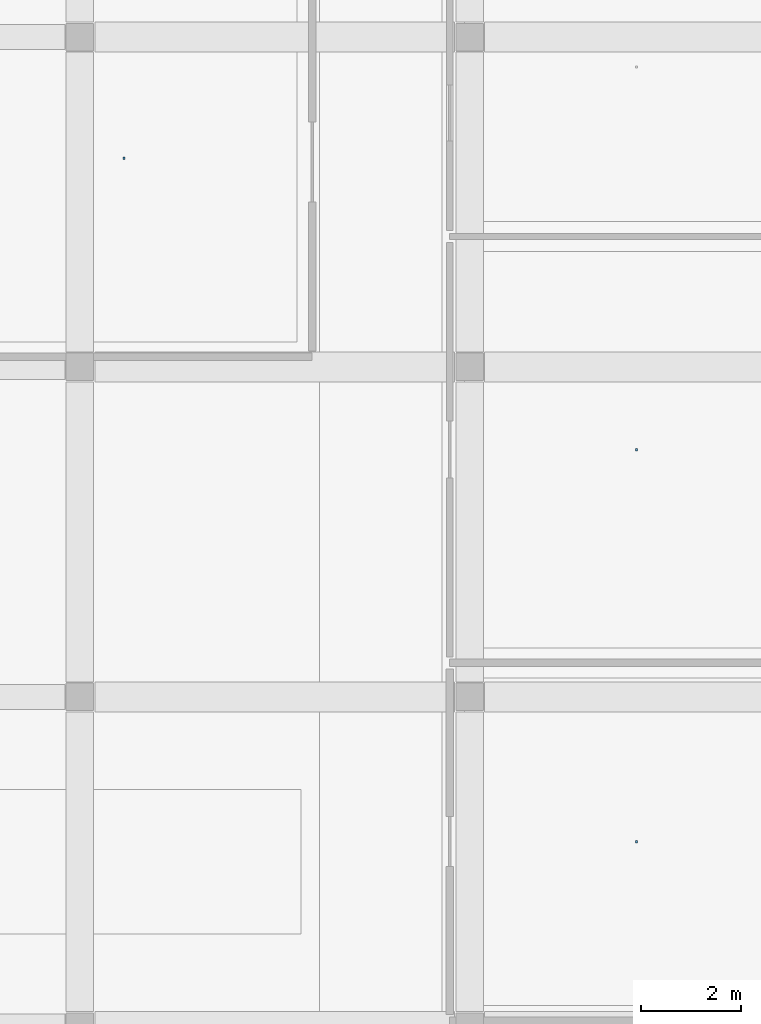
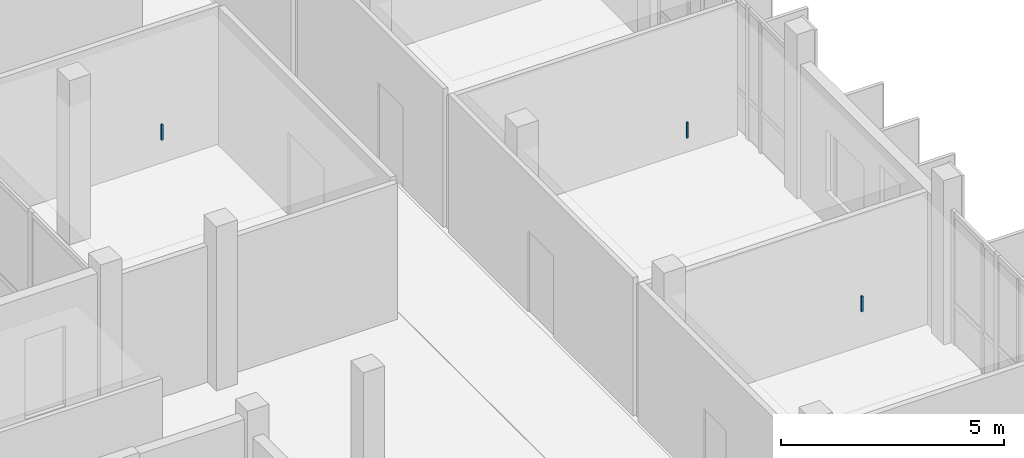
# One storey, part 80 of 95: 3 discrete accessories.
"""IFC4 building model written with IfcOpenShell, lengths in metres."""

from ifc_helpers import new_model, si_unit, derived_unit, direction, frame, origin, origin_2d, place, context, subcontext, project, spatial, rectangle, extrude, material, type_object, element, save


model = new_model("IFC4")

# Units and contexts
model_context = context("Model", 3, precision=1e-05, world=origin(), true_north=direction((0.0, 1.0)))
body_context = subcontext(model_context, "Body", "Model", "MODEL_VIEW")
ifc_project = project(units=[si_unit("LENGTHUNIT", "METRE"), si_unit("AREAUNIT", "SQUARE_METRE"), si_unit("VOLUMEUNIT", "CUBIC_METRE"), si_unit("PLANEANGLEUNIT", "RADIAN"), si_unit("MASSUNIT", "GRAM", prefix="KILO"), derived_unit("THERMALTRANSMITTANCEUNIT", [(si_unit("POWERUNIT", "WATT"), 1), (si_unit("LENGTHUNIT", "METRE"), -2), (si_unit("THERMODYNAMICTEMPERATUREUNIT", "KELVIN"), -1)])], contexts=[model_context])

# Site, building, storey
site_placement = place(None, origin())
site = spatial("IfcSite", under=ifc_project, at=site_placement, CompositionType="ELEMENT")
building_placement = place(site_placement, origin())
building = spatial("IfcBuilding", under=site, at=building_placement, Name="Braskholm Square Health Centre", CompositionType="ELEMENT")
storey_placement = place(building_placement, frame((0.0, 0.0, 4.800048828125)))
storey = spatial("IfcBuildingStorey", under=building, at=storey_placement, Name="L02", CompositionType="ELEMENT", Elevation=4.800048828125)

# Discrete accessories
ifc_material = material(Name="Steel ASTM A500 Grade C", Category="steel")
discrete_accessory_type = type_object("IfcDiscreteAccessoryType", Name="CeilingSuspensionBracket", PredefinedType="BRACKET", material=ifc_material)
for number, where, z_axis, x_axis, name in (
    (1, (159.93994140625, 84.300048828125, 3.7822265625), (0.0, 0.0, 1.0), (1.0, 0.0, 0.0), "Ceiling hanger bracket 0139"),
    (2, (159.93994140625, 92.14501953125, 3.7822265625), (0.0, 0.0, 1.0), (1.0, 0.0, 0.0), "Ceiling hanger bracket 0140"),
    (3, (149.68505859375, 97.97509765625, 3.7822265625), (0.0, 0.0, 1.0), (1.0, 0.0, 0.0), "Ceiling hanger bracket 0149"),
):
    element("IfcDiscreteAccessory", number, at=place(storey_placement, frame(where, z_axis=z_axis, x_axis=x_axis)), inside=storey, type_object=discrete_accessory_type, Name=name, PredefinedType="BRACKET", context=body_context, shape_type="SweptSolid", body=[
        extrude(rectangle(XDim=0.044921875, YDim=0.044921875, at=origin_2d()), origin(), (0.0, 0.0, 1.0), 0.429931640625),
    ])

save(model, "model.ifc")
